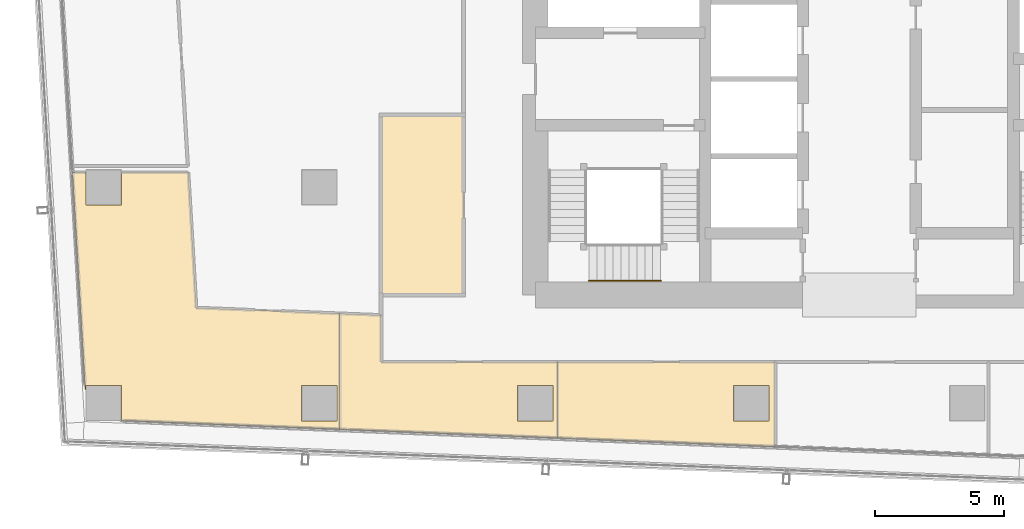
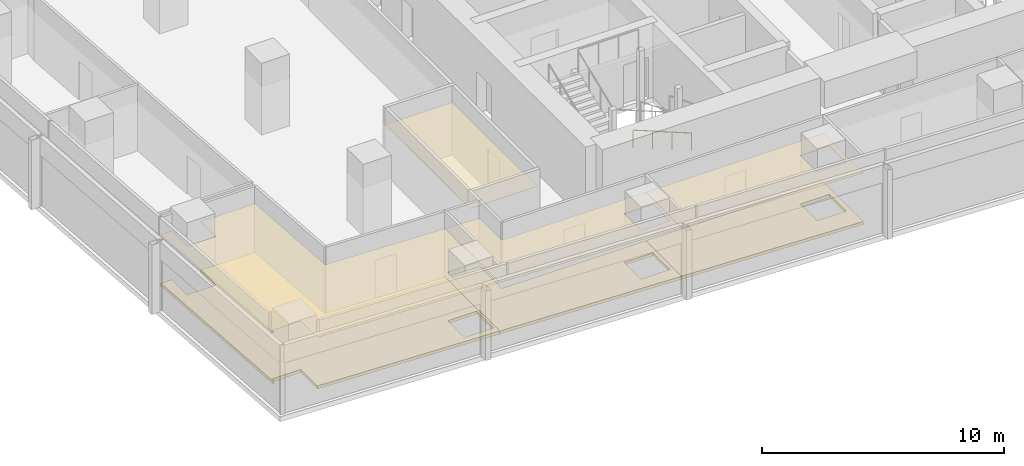
# One storey, part 32 of 39: 7 coverings, 1 railing.
"""IFC4 building model written with IfcOpenShell, lengths in metres."""

from ifc_helpers import new_model, si_unit, direction, frame, origin, origin_2d, place, context, subcontext, project, spatial, polyline, circle, outline, extrude, material, layer, layer_set, type_object, element, save


model = new_model("IFC4")

# Units and contexts
model_context = context("Model", 3, precision=1e-05, world=origin(), true_north=direction((0.0, 1.0)))
body_context = subcontext(model_context, "Body", "Model", "MODEL_VIEW")
ifc_project = project(units=[si_unit("LENGTHUNIT", "METRE"), si_unit("AREAUNIT", "SQUARE_METRE"), si_unit("VOLUMEUNIT", "CUBIC_METRE"), si_unit("PLANEANGLEUNIT", "RADIAN"), si_unit("MASSUNIT", "GRAM", prefix="KILO")], contexts=[model_context])

# Site, building, storey
site_placement = place(None, origin())
site = spatial("IfcSite", under=ifc_project, at=site_placement, CompositionType="ELEMENT")
building_placement = place(site_placement, origin())
building = spatial("IfcBuilding", under=site, at=building_placement, Name="Rekha Terrace Tower", CompositionType="ELEMENT")
storey_placement = place(building_placement, frame((0.0, 0.0, 187.699951171875)))
storey = spatial("IfcBuildingStorey", under=building, at=storey_placement, Name="L47", CompositionType="ELEMENT", Elevation=187.699951171875)

# Coverings
ifc_material_1 = material(Name="Mineral fibre tile in exposed grid", Category="finish")
ifc_layer_1 = layer(ifc_material_1, 0.02001953125)
ifc_layer_set_1 = layer_set([ifc_layer_1], Name="Mineral fibre tile in exposed grid")
covering_type_1 = type_object("IfcCoveringType", Name="CL1 600x1200 office grid ceiling", PredefinedType="CEILING", material=ifc_layer_set_1)
covering_1_placement = place(storey_placement, frame((0.0, 0.0, 2.580078125)))
element("IfcCovering", 1, at=covering_1_placement, inside=storey, type_object=covering_type_1, Name="Ceiling L47-07", PredefinedType="CEILING", context=body_context, shape_type="SweptSolid", body=[
    extrude(outline(polyline([(7.7099609375, 24.510009765625), (7.7099609375, 25.76611328125), (7.18701171875, 25.76611328125), (7.68408203125, 17.319091796875), (7.7099609375, 17.320068359375), (7.7099609375, 17.489990234375), (9.090087890625, 17.489990234375), (9.090087890625, 16.117919921875), (17.5849609375, 15.779052734375), (17.5849609375, 20.281982421875), (12.0048828125, 20.5048828125), (11.695068359375, 25.76611328125), (9.090087890625, 25.76611328125), (9.090087890625, 24.510009765625), (7.7099609375, 24.510009765625)]), holes=[polyline([(17.489990234375, 17.489990234375), (17.489990234375, 16.110107421875), (16.110107421875, 16.110107421875), (16.110107421875, 17.489990234375), (17.489990234375, 17.489990234375)])]), origin(), (0.0, 0.0, 1.0), 0.02001953125),
])
covering_2_placement = place(storey_placement, frame((0.0, 0.0, 2.580078125)))
element("IfcCovering", 2, at=covering_2_placement, inside=storey, type_object=covering_type_1, Name="Ceiling L47-08", PredefinedType="CEILING", context=body_context, shape_type="SweptSolid", body=[
    extrude(outline(polyline([(19.199951171875, 18.39990234375), (19.199951171875, 20.218017578125), (17.5859375, 20.281982421875), (17.5859375, 15.779052734375), (26.056884765625, 15.43994140625), (26.056884765625, 18.39990234375), (19.199951171875, 18.39990234375)]), holes=[polyline([(25.889892578125, 17.489990234375), (25.889892578125, 16.110107421875), (24.510009765625, 16.110107421875), (24.510009765625, 17.489990234375), (25.889892578125, 17.489990234375)])]), origin(), (0.0, 0.0, 1.0), 0.02001953125),
])
covering_3_placement = place(storey_placement, frame((0.0, 0.0, 2.580078125)))
element("IfcCovering", 3, at=covering_3_placement, inside=storey, type_object=covering_type_1, Name="Ceiling L47-09", PredefinedType="CEILING", context=body_context, shape_type="SweptSolid", body=[
    extrude(outline(polyline([(34.530029296875, 15.10205078125), (34.530029296875, 18.39990234375), (26.05810546875, 18.39990234375), (26.05810546875, 15.43994140625), (34.530029296875, 15.10205078125)]), holes=[polyline([(34.2900390625, 16.110107421875), (32.909912109375, 16.110107421875), (32.909912109375, 17.489990234375), (34.2900390625, 17.489990234375), (34.2900390625, 16.110107421875)])]), origin(), (0.0, 0.0, 1.0), 0.02001953125),
])
ifc_material_2 = material(Name="Fibre cement board", Category="finish")
ifc_layer_2 = layer(ifc_material_2, 0.014892578125)
ifc_layer_set_2 = layer_set([ifc_layer_2], Name="Fibre cement board")
covering_type_2 = type_object("IfcCoveringType", Name="CL2 moisture-resistant board ceiling", PredefinedType="CEILING", material=ifc_layer_set_2)
covering_4_placement = place(storey_placement, frame((0.0, 0.0, 2.5849609375)))
element("IfcCovering", 4, at=covering_4_placement, inside=storey, type_object=covering_type_2, Name="Ceiling L47-WCM", PredefinedType="CEILING", context=body_context, shape_type="SweptSolid", body=[
    extrude(outline(polyline([(22.39990234375, 28.0), (19.199951171875, 28.0), (19.199951171875, 21.0), (22.39990234375, 21.0), (22.39990234375, 28.0)])), origin(), (0.0, 0.0, 1.0), 0.01513671875),
])

# Railing
ifc_material_3 = material(Name="Stainless steel tube", Category="steel")
railing_type = type_object("IfcRailingType", Name="HR1 900 stair handrail", PredefinedType="HANDRAIL", material=ifc_material_3)
railing_placement = place(storey_placement, frame((30.074951171875, 21.56005859375, 1.375)))
element("IfcRailing", 5, at=railing_placement, inside=storey, type_object=railing_type, Name="Handrail ST1 L47 flight 2", PredefinedType="HANDRAIL", context=body_context, shape_type="SweptSolid", body=[
    extrude(circle(Radius=0.02392578125, at=origin_2d()), frame((0.0, 0.0, 0.8759765625), z_axis=(-0.927443287984, 0.0, 0.373963831907), x_axis=(0.0, -1.0, 0.0)), (0.0, 0.0, 1.0), 3.00830078125),
    extrude(circle(Radius=0.02099609375, at=origin_2d()), origin(), (0.0, 0.0, 1.0), 0.851806640625),
    extrude(circle(Radius=0.02099609375, at=origin_2d()), frame((-0.929931640625, 0.0, 0.375)), (0.0, 0.0, 1.0), 0.851806640625),
    extrude(circle(Radius=0.02099609375, at=origin_2d()), frame((-1.860107421875, 0.0, 0.75)), (0.0, 0.0, 1.0), 0.851806640625),
    extrude(circle(Radius=0.02099609375, at=origin_2d()), frame((-2.7900390625, 0.0, 1.125)), (0.0, 0.0, 1.0), 0.851806640625),
])

# Coverings
ifc_material_4 = material(Name="Calcium sulphate panels on steel pedestals", Category="steel")
ifc_layer_3 = layer(ifc_material_4, 0.14990234375)
ifc_layer_set_3 = layer_set([ifc_layer_3], Name="Calcium sulphate panels on steel pedestals")
covering_type_3 = type_object("IfcCoveringType", Name="RF1 150 raised access floor", PredefinedType="FLOORING", material=ifc_layer_set_3)
covering_5_placement = place(storey_placement, origin())
element("IfcCovering", 6, at=covering_5_placement, inside=storey, type_object=covering_type_3, Name="Raised floor L47-07", PredefinedType="FLOORING", context=body_context, shape_type="SweptSolid", body=[
    extrude(outline(polyline([(7.7099609375, 24.510009765625), (7.7099609375, 25.76611328125), (7.18701171875, 25.76611328125), (7.68408203125, 17.319091796875), (7.7099609375, 17.320068359375), (7.7099609375, 17.489990234375), (9.090087890625, 17.489990234375), (9.090087890625, 16.117919921875), (17.5849609375, 15.779052734375), (17.5849609375, 20.281982421875), (12.0048828125, 20.5048828125), (11.695068359375, 25.76611328125), (9.090087890625, 25.76611328125), (9.090087890625, 24.510009765625), (7.7099609375, 24.510009765625)]), holes=[polyline([(17.489990234375, 17.489990234375), (17.489990234375, 16.110107421875), (16.110107421875, 16.110107421875), (16.110107421875, 17.489990234375), (17.489990234375, 17.489990234375)])]), origin(), (0.0, 0.0, 1.0), 0.150146484375),
])
covering_6_placement = place(storey_placement, origin())
element("IfcCovering", 7, at=covering_6_placement, inside=storey, type_object=covering_type_3, Name="Raised floor L47-08", PredefinedType="FLOORING", context=body_context, shape_type="SweptSolid", body=[
    extrude(outline(polyline([(19.199951171875, 18.39990234375), (19.199951171875, 20.218017578125), (17.5859375, 20.281982421875), (17.5859375, 15.779052734375), (26.056884765625, 15.43994140625), (26.056884765625, 18.39990234375), (19.199951171875, 18.39990234375)]), holes=[polyline([(25.889892578125, 17.489990234375), (25.889892578125, 16.110107421875), (24.510009765625, 16.110107421875), (24.510009765625, 17.489990234375), (25.889892578125, 17.489990234375)])]), origin(), (0.0, 0.0, 1.0), 0.150146484375),
])
covering_7_placement = place(storey_placement, origin())
element("IfcCovering", 8, at=covering_7_placement, inside=storey, type_object=covering_type_3, Name="Raised floor L47-09", PredefinedType="FLOORING", context=body_context, shape_type="SweptSolid", body=[
    extrude(outline(polyline([(34.530029296875, 15.10205078125), (34.530029296875, 18.39990234375), (26.05810546875, 18.39990234375), (26.05810546875, 15.43994140625), (34.530029296875, 15.10205078125)]), holes=[polyline([(34.2900390625, 16.110107421875), (32.909912109375, 16.110107421875), (32.909912109375, 17.489990234375), (34.2900390625, 17.489990234375), (34.2900390625, 16.110107421875)])]), origin(), (0.0, 0.0, 1.0), 0.150146484375),
])

save(model, "model.ifc")
